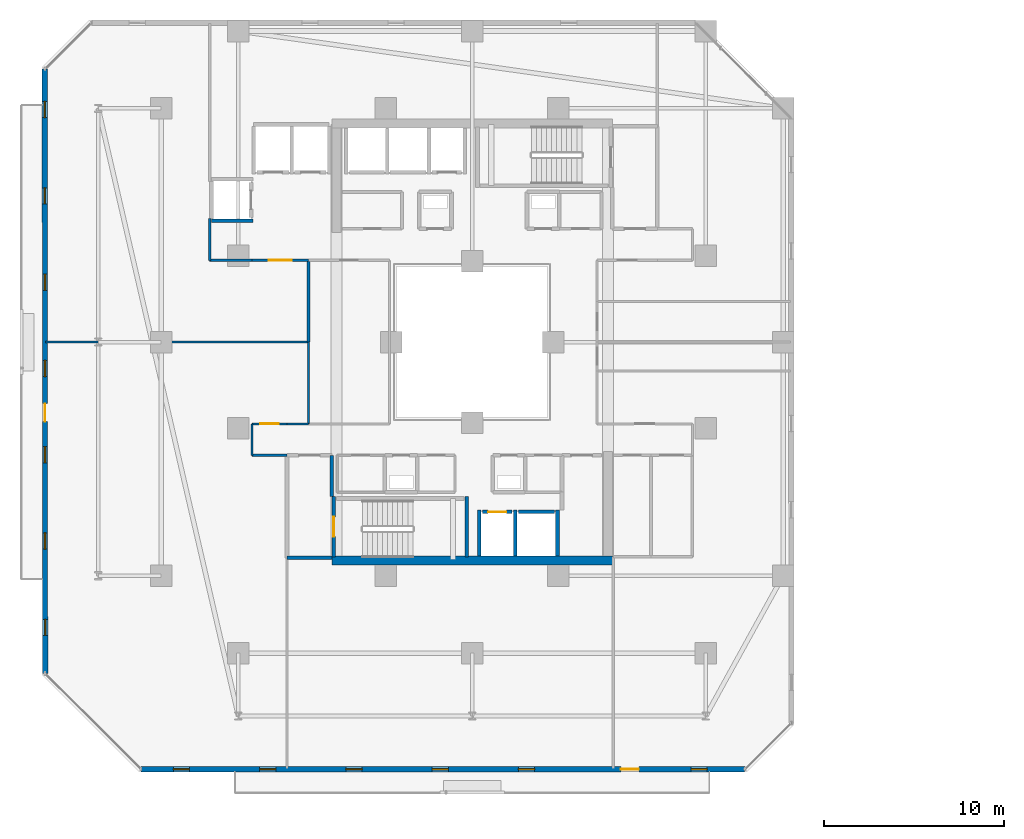
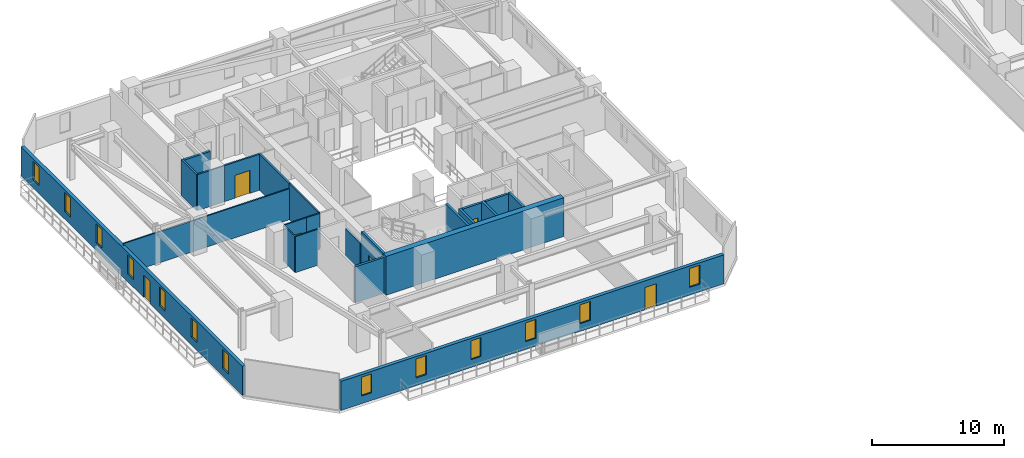
# One storey, part 18 of 33: 23 walls, 13 windows, 6 doors, 19 openings.
"""IFC4 building model written with IfcOpenShell, lengths in metres."""

import ifcopenshell
import ifcopenshell.guid

model = None  # the IFC model being written
_history = None  # IfcOwnerHistory: only IFC2X3 demands one
_inside = {}  # id of a spatial element -> (the spatial element, [elements in it])
_under = {}  # id of a project, library or spatial element -> (it, [spatial elements below it])
_declared = {}  # id of a project -> (the project, [libraries it declares])
_typed = {}  # id of a type object -> (the type object, [elements of that type])
_made_of = {}  # id of a material, layer set ... -> (it, [elements and type objects made of it])


def new_model(schema):
    """Start an empty IFC model of exactly this schema.

    Asked for "IFC4X3", IfcOpenShell would pick the latest addendum, in which some entities
    have other attributes; the version numbers below select the first issue.
    IFC2X3 requires an IfcOwnerHistory on every rooted entity: one is made here for all.
    """
    global model, _history
    if schema == "IFC4X3":
        model = ifcopenshell.file(schema_version=(4, 3, 0, 0))
    else:
        model = ifcopenshell.file(schema=schema)
    _inside.clear()
    _under.clear()
    _declared.clear()
    _typed.clear()
    _made_of.clear()
    _history = None
    if model.schema == "IFC2X3":
        org = make("IfcOrganization", Name="unknown")
        user = make(
            "IfcPersonAndOrganization",
            ThePerson=make("IfcPerson", FamilyName="unknown"),
            TheOrganization=org,
        )
        app = make(
            "IfcApplication",
            ApplicationDeveloper=org,
            Version="unknown",
            ApplicationFullName="unknown",
            ApplicationIdentifier="unknown",
        )
        _history = make(
            "IfcOwnerHistory",
            OwningUser=user,
            OwningApplication=app,
            ChangeAction="ADDED",
            CreationDate=0,
        )
    return model


def make(cls, **values):
    """One entity of the class cls with the attributes given. An attribute that is None is left unset."""
    return model.create_entity(
        cls, **{name: value for name, value in values.items() if value is not None}
    )


def rooted(cls, **values):
    """An entity with a GlobalId (a new one), such as an element, a storey or a relation."""
    return make(cls, GlobalId=ifcopenshell.guid.new(), OwnerHistory=_history, **values)


def si_unit(unit_type, name, prefix=None):
    """IfcSIUnit, for example si_unit("LENGTHUNIT", "METRE", prefix="MILLI")."""
    return make("IfcSIUnit", UnitType=unit_type, Prefix=prefix, Name=name)


def assignment(units):
    """IfcUnitAssignment: the units of a project."""
    return None if units is None else make("IfcUnitAssignment", Units=units)


def point(xyz):
    """IfcCartesianPoint."""
    return None if xyz is None else make("IfcCartesianPoint", Coordinates=xyz)


def direction(xyz):
    """IfcDirection."""
    return None if xyz is None else make("IfcDirection", DirectionRatios=xyz)


def frame(location, z_axis=None, x_axis=None):
    """IfcAxis2Placement3D, a coordinate frame: its origin and axes. An axis left out is left unset."""
    return make(
        "IfcAxis2Placement3D",
        Location=point(location),
        Axis=direction(z_axis),
        RefDirection=direction(x_axis),
    )


def frame_2d(location, x_axis=None):
    """IfcAxis2Placement2D, a coordinate frame in the plane: its origin and x axis."""
    return make(
        "IfcAxis2Placement2D", Location=point(location), RefDirection=direction(x_axis)
    )


def origin():
    """The frame at (0, 0, 0) with its axes left unset."""
    return frame((0.0, 0.0, 0.0))


def place(relative_to, where):
    """IfcLocalPlacement: puts the frame where relative to a parent placement (None: the world)."""
    return make(
        "IfcLocalPlacement", PlacementRelTo=relative_to, RelativePlacement=where
    )


def context(
    kind, dimensions, precision=None, world=None, true_north=None, identifier=None
):
    """IfcGeometricRepresentationContext, for example the 3D "Model" context."""
    return make(
        "IfcGeometricRepresentationContext",
        ContextIdentifier=identifier,
        ContextType=kind,
        CoordinateSpaceDimension=dimensions,
        Precision=precision,
        WorldCoordinateSystem=world,
        TrueNorth=true_north,
    )


def subcontext(parent, identifier, kind, view, scale=None):
    """IfcGeometricRepresentationSubContext, for example "Body" below "Model"."""
    return make(
        "IfcGeometricRepresentationSubContext",
        ContextIdentifier=identifier,
        ContextType=kind,
        ParentContext=parent,
        TargetScale=scale,
        TargetView=view,
    )


def project(units=None, contexts=None):
    """IfcProject with its units and contexts."""
    return rooted(
        "IfcProject",
        Name="project",
        RepresentationContexts=contexts,
        UnitsInContext=assignment(units),
    )


def spatial(cls, under=None, at=None, **own):
    """A site, building, storey or space (cls), placed at a placement, below another one or the project."""
    s = rooted(cls, ObjectPlacement=at, **own)
    if under is not None:
        _under.setdefault(under.id(), (under, []))[1].append(s)
    return s


def profile(cls, at=None, kind="AREA", **sizes):
    """A parametric profile (cls). Its sizes go by their IFC names, for example OverallWidth=200.0."""
    return make(cls, ProfileType=kind, Position=at, **sizes)


def rectangle(**sizes):
    """IfcRectangleProfileDef."""
    return profile("IfcRectangleProfileDef", **sizes)


def extrude(swept, where, along, depth):
    """IfcExtrudedAreaSolid: the profile swept, set in the frame where, extruded along a direction by depth."""
    return make(
        "IfcExtrudedAreaSolid",
        SweptArea=swept,
        Position=where,
        ExtrudedDirection=direction(along),
        Depth=depth,
    )


def shape(context_of_items, identifier, shape_type, items):
    """IfcShapeRepresentation: the items that make up one representation, for example the "Body"."""
    return make(
        "IfcShapeRepresentation",
        ContextOfItems=context_of_items,
        RepresentationIdentifier=identifier,
        RepresentationType=shape_type,
        Items=items,
    )


def material(Name=None, Category=None):
    """IfcMaterial."""
    return make("IfcMaterial", Name=Name, Category=Category)


def layer(
    of_material, thickness, ventilated=None, Name=None, Category=None, Priority=None
):
    """IfcMaterialLayer: one layer of a wall or slab, of a material (None: an air gap)."""
    return make(
        "IfcMaterialLayer",
        Material=of_material,
        LayerThickness=thickness,
        IsVentilated=ventilated,
        Name=Name,
        Category=Category,
        Priority=Priority,
    )


def layer_set(layers, Name=None):
    """IfcMaterialLayerSet."""
    return make("IfcMaterialLayerSet", MaterialLayers=layers, LayerSetName=Name)


def made_of(thing, what):
    """Note that an element or type object is made of a material, layer set ...; save() writes the relation."""
    if what is not None:
        _made_of.setdefault(what.id(), (what, []))[1].append(thing)
    return thing


def type_object(cls, material=None, **own):
    """A type object (cls), such as IfcWallType, which elements share."""
    return made_of(rooted(cls, **own), material)


def element(
    cls,
    number,
    at=None,
    inside=None,
    cuts=None,
    type_object=None,
    material=None,
    context=None,
    identifier="Body",
    shape_type=None,
    held_by="IfcProductDefinitionShape",
    body=None,
    shapes=None,
    **own,
):
    """One element of the class cls, such as IfcWall. Its Tag is "e" and its number.

    at: its placement. inside: the storey or other place that contains it. cuts: it is an
    opening in that element (IfcRelVoidsElement). A single representation is given by context,
    identifier, shape_type and body (its items); several are given by shapes. held_by: the class
    of the entity that holds the representations. save() writes the other relations.
    """
    e = rooted(cls, Tag="e%d" % number, ObjectPlacement=at, **own)
    if body is not None:
        shapes = [shape(context, identifier, shape_type, body)]
    if shapes is not None:
        e.Representation = make(held_by, Representations=shapes)
    if inside is not None:
        _inside.setdefault(inside.id(), (inside, []))[1].append(e)
    if cuts is not None:
        rooted(
            "IfcRelVoidsElement", RelatingBuildingElement=cuts, RelatedOpeningElement=e
        )
    if type_object is not None:
        _typed.setdefault(type_object.id(), (type_object, []))[1].append(e)
    return made_of(e, material)


def fill(opening, filler):
    """IfcRelFillsElement: the door or window that sits in an opening."""
    return rooted(
        "IfcRelFillsElement",
        RelatingOpeningElement=opening,
        RelatedBuildingElement=filler,
    )


def aggregate(whole, parts):
    """IfcRelAggregates: a whole, such as a stair, and the parts it consists of."""
    return rooted("IfcRelAggregates", RelatingObject=whole, RelatedObjects=parts)


def save(model, path):
    """Write the relations noted so far, then the file.

    IfcRelAggregates (storeys below a building ...), IfcRelContainedInSpatialStructure (elements
    in a storey), IfcRelDefinesByType, IfcRelAssociatesMaterial and IfcRelDeclares: one each for
    every whole, place, type object, material and project.
    """
    for whole, parts in _under.values():
        aggregate(whole, parts)
    for where, things in _inside.values():
        rooted(
            "IfcRelContainedInSpatialStructure",
            RelatedElements=things,
            RelatingStructure=where,
        )
    for kind, things in _typed.values():
        rooted("IfcRelDefinesByType", RelatedObjects=things, RelatingType=kind)
    for what, things in _made_of.values():
        rooted("IfcRelAssociatesMaterial", RelatedObjects=things, RelatingMaterial=what)
    for by, libraries in _declared.values():
        rooted("IfcRelDeclares", RelatingContext=by, RelatedDefinitions=libraries)
    model.write(path)


model = new_model("IFC4")

# Units and contexts
model_context = context("Model", 3, precision=1e-05, world=origin(), true_north=direction((0.0, 1.0)))
body_context = subcontext(model_context, "Body", "Model", "MODEL_VIEW")
ifc_project = project(units=[si_unit("LENGTHUNIT", "METRE"), si_unit("AREAUNIT", "SQUARE_METRE"), si_unit("VOLUMEUNIT", "CUBIC_METRE"), si_unit("PLANEANGLEUNIT", "RADIAN"), si_unit("MASSUNIT", "GRAM", prefix="KILO")], contexts=[model_context])

# Site, building, storey
site_placement = place(None, origin())
site = spatial("IfcSite", under=ifc_project, at=site_placement, CompositionType="ELEMENT")
building_placement = place(site_placement, origin())
building = spatial("IfcBuilding", under=site, at=building_placement, Name="Thornwick Lancets Civic Towers", CompositionType="ELEMENT")
storey_placement = place(building_placement, frame((0.0, 0.0, 130.5)))
storey = spatial("IfcBuildingStorey", under=building, at=storey_placement, Name="L34", CompositionType="ELEMENT", Elevation=130.5)

# Wall, opening, door
ifc_material_1 = material(Name="Concrete blockwork C40/50", Category="masonry")
ifc_layer_1 = layer(ifc_material_1, 0.199951171875, Name="Concrete blockwork C40/50")
ifc_layer_set_1 = layer_set([ifc_layer_1], Name="Concrete blockwork C40/50")
wall_type_1 = type_object("IfcWallType", Name="WALL_COMP_200", PredefinedType="STANDARD", material=ifc_layer_set_1)
wall_1_placement = place(storey_placement, frame((26.080078125, 17.550048828125, 0.0), z_axis=(0.0, 0.0, 1.0), x_axis=(1.0, 0.0, 0.0)))
wall_1 = element("IfcWall", 1, at=wall_1_placement, inside=storey, type_object=wall_type_1, Name="L34 Hoistway Front Wall FL-A1", PredefinedType="STANDARD", context=body_context, shape_type="SweptSolid", body=[
    extrude(rectangle(XDim=1.639892578125, YDim=0.199951171875, at=frame_2d((0.81982421875, 0.0))), origin(), (0.0, 0.0, 1.0), 3.340087890625),
])
opening_1_placement = place(wall_1_placement, frame((0.31005859375, 0.0, 0.0)))
opening_1 = element("IfcOpeningElement", 2, at=opening_1_placement, cuts=wall_1, Name="Opening LD-FL-A1", PredefinedType="OPENING", context=body_context, shape_type="SweptSolid", body=[
    extrude(rectangle(XDim=1.02001953125, YDim=2.06005859375, at=frame_2d((0.510009765625, 1.030029296875))), frame((0.0, 0.10986328125, 0.0), z_axis=(0.0, -1.0, 0.0), x_axis=(1.0, 0.0, 0.0)), (0.0, 0.0, 1.0), 0.219970703125),
])
ifc_material_2 = material(Name="Brushed bronze stainless steel", Category="steel")
door_type_1 = type_object("IfcDoorType", Name="DOOR_LIFT_SLIDE", OperationType="SLIDING_TO_LEFT", PredefinedType="DOOR", material=ifc_material_2)
door_1_placement = place(opening_1_placement, origin())
door_1 = element("IfcDoor", 3, at=door_1_placement, inside=storey, type_object=door_type_1, Name="L34 Sliding Lift Landing Door LD-FL-A1", OperationType="SLIDING_TO_LEFT", OverallHeight=2.06005859375, OverallWidth=1.02001953125, PredefinedType="DOOR", context=body_context, shape_type="SweptSolid", body=[
    extrude(rectangle(XDim=1.02001953125, YDim=2.06005859375, at=frame_2d((0.510009765625, 1.030029296875))), frame((0.0, 0.02490234375, 0.0), z_axis=(0.0, -1.0, 0.0), x_axis=(1.0, 0.0, 0.0)), (0.0, 0.0, 1.0), 0.050048828125),
])
fill(opening_1, door_1)

# Walls
wall_2_placement = place(storey_placement, frame((28.080078125, 17.550048828125, 0.0), z_axis=(0.0, 0.0, 1.0), x_axis=(1.0, 0.0, 0.0)))
element("IfcWall", 4, at=wall_2_placement, inside=storey, type_object=wall_type_1, Name="L34 Hoistway Front Wall PL-AH1", PredefinedType="STANDARD", context=body_context, shape_type="SweptSolid", body=[
    extrude(rectangle(XDim=1.989990234375, YDim=0.199951171875, at=frame_2d((0.9951171875, 0.0))), origin(), (0.0, 0.0, 1.0), 3.340087890625),
])
for number, where, z_axis, x_axis, name in (
    (5, (27.89990234375, 15.112060546875, 0.0), (0.0, 0.0, 1.0), (0.0, 1.0, 0.0), "L34 Hoistway Shaft Wall FL-A1 E"),
    (6, (25.89990234375, 15.112060546875, 0.0), (0.0, 0.0, 1.0), (0.0, 1.0, 0.0), "L34 Hoistway Shaft Wall FL-A1 W"),
    (7, (30.25, 15.112060546875, 0.0), (0.0, 0.0, 1.0), (0.0, 1.0, 0.0), "L34 Hoistway Shaft Wall PL-AH1 E"),
):
    element("IfcWall", number, at=place(storey_placement, frame(where, z_axis=z_axis, x_axis=x_axis)), inside=storey, type_object=wall_type_1, Name=name, PredefinedType="STANDARD", context=body_context, shape_type="SweptSolid", body=[
        extrude(rectangle(XDim=2.535888671875, YDim=0.199951171875, at=frame_2d((1.26806640625, 0.0))), origin(), (0.0, 0.0, 1.0), 3.340087890625),
    ])
wall_3_placement = place(storey_placement, frame((11.001953125, 33.75, 0.0), z_axis=(0.0, 0.0, 1.0), x_axis=(1.0, 0.0, 0.0)))
element("IfcWall", 8, at=wall_3_placement, inside=storey, type_object=wall_type_1, Name="L34 Hoistway Shaft Wall PL-AM3 S", PredefinedType="STANDARD", context=body_context, shape_type="SweptSolid", body=[
    extrude(rectangle(XDim=2.296142578125, YDim=0.199951171875, at=frame_2d((1.14794921875, 0.0))), origin(), (0.0, 0.0, 1.0), 3.340087890625),
])
wall_4_placement = place(storey_placement, frame((15.199951171875, 15.0, 0.0), z_axis=(0.0, 0.0, 1.0), x_axis=(1.0, 0.0, 0.0)))
element("IfcWall", 9, at=wall_4_placement, inside=storey, type_object=wall_type_1, Name="L34 Partition L34-A-FFLOB1 E1", PredefinedType="STANDARD", context=body_context, shape_type="SweptSolid", body=[
    extrude(rectangle(XDim=2.5, YDim=0.199951171875, at=frame_2d((1.25, 0.0))), origin(), (0.0, 0.0, 1.0), 3.340087890625),
])
wall_5_placement = place(storey_placement, frame((17.699951171875, 18.39990234375, 0.0), z_axis=(0.0, 0.0, 1.0), x_axis=(0.0, 1.0, 0.0)))
element("IfcWall", 10, at=wall_5_placement, inside=storey, type_object=wall_type_1, Name="L34 Partition L34-A-FFLOB1 E2", PredefinedType="STANDARD", context=body_context, shape_type="SweptSolid", body=[
    extrude(rectangle(XDim=2.300048828125, YDim=0.199951171875, at=frame_2d((1.14990234375, 0.0))), origin(), (0.0, 0.0, 1.0), 2.544921875),
])
ifc_material_3 = material(Name="Concrete C50/60", Category="concrete")
ifc_layer_2 = layer(ifc_material_3, 0.5, Name="Concrete C50/60")
ifc_layer_set_2 = layer_set([ifc_layer_2], Name="Concrete C50/60")
wall_type_2 = type_object("IfcWallType", Name="WALL_CORE_500", PredefinedType="SHEAR", material=ifc_layer_set_2)
wall_6_placement = place(storey_placement, frame((17.699951171875, 14.85009765625, 0.0), z_axis=(0.0, 0.0, 1.0), x_axis=(1.0, 0.0, 0.0)))
element("IfcWall", 11, at=wall_6_placement, inside=storey, type_object=wall_type_2, Name="L34 Split Core A1 Shear Wall S", PredefinedType="SHEAR", context=body_context, shape_type="SweptSolid", body=[
    extrude(rectangle(XDim=15.60009765625, YDim=0.5, at=frame_2d((7.800048828125, 0.0))), origin(), (0.0, 0.0, 1.0), 3.60009765625),
])

# Wall, openings, door, windows
ifc_material_4 = material(Name="Insulated russet terracotta rainscreen on concrete C40/50", Category="masonry")
ifc_layer_3 = layer(ifc_material_4, 0.300048828125, Name="Insulated russet terracotta rainscreen on concrete C40/50")
ifc_layer_set_3 = layer_set([ifc_layer_3], Name="Insulated russet terracotta rainscreen on concrete C40/50")
wall_type_3 = type_object("IfcWallType", Name="WALL_EXT_RUSSET_300", PredefinedType="STANDARD", material=ifc_layer_set_3)
wall_7_placement = place(storey_placement, frame((7.076416015625, 3.244384765625, 0.0), z_axis=(0.0, 0.0, 1.0), x_axis=(0.999999963872, -0.000268805477, 0.0)))
wall_7 = element("IfcWall", 12, at=wall_7_placement, inside=storey, type_object=wall_type_3, Name="L34 Tower A Terracotta Facade Wall E0", PredefinedType="STANDARD", context=body_context, shape_type="SweptSolid", body=[
    extrude(rectangle(XDim=33.60498046875, YDim=0.300048828125, at=frame_2d((16.802490234375, 0.0))), origin(), (0.0, 0.0, 1.0), 2.699951171875),
])
opening_2_placement = place(wall_7_placement, frame((26.702392578125, 0.0, 0.0)))
opening_2 = element("IfcOpeningElement", 13, at=opening_2_placement, cuts=wall_7, Name="Opening D-BL-L34-AS", PredefinedType="OPENING", context=body_context, shape_type="SweptSolid", body=[
    extrude(rectangle(XDim=1.0, YDim=2.080078125, at=frame_2d((0.5, 1.0400390625))), frame((0.0, 0.16015625, 0.0), z_axis=(0.0, -1.0, 0.0), x_axis=(1.0, 0.0, 0.0)), (0.0, 0.0, 1.0), 0.320068359375),
])
opening_3_placement = place(wall_7_placement, frame((1.800048828125, 0.0, 0.719970703125)))
opening_3 = element("IfcOpeningElement", 14, at=opening_3_placement, cuts=wall_7, Name="Opening WL-01", PredefinedType="OPENING", context=body_context, shape_type="SweptSolid", body=[
    extrude(rectangle(XDim=0.89990234375, YDim=1.75, at=frame_2d((0.449951171875, 0.875))), frame((0.0, 0.16015625, 0.0), z_axis=(0.0, -1.0, 0.0), x_axis=(1.0, 0.0, 0.0)), (0.0, 0.0, 1.0), 0.320068359375),
])
opening_4_placement = place(wall_7_placement, frame((6.60009765625, 0.0, 0.719970703125)))
opening_4 = element("IfcOpeningElement", 15, at=opening_4_placement, cuts=wall_7, Name="Opening WL-01", PredefinedType="OPENING", context=body_context, shape_type="SweptSolid", body=[
    extrude(rectangle(XDim=0.89990234375, YDim=1.75, at=frame_2d((0.449951171875, 0.875))), frame((0.0, 0.16015625, 0.0), z_axis=(0.0, -1.0, 0.0), x_axis=(1.0, 0.0, 0.0)), (0.0, 0.0, 1.0), 0.320068359375),
])
opening_5_placement = place(wall_7_placement, frame((11.39990234375, 0.0, 0.719970703125)))
opening_5 = element("IfcOpeningElement", 16, at=opening_5_placement, cuts=wall_7, Name="Opening WL-01", PredefinedType="OPENING", context=body_context, shape_type="SweptSolid", body=[
    extrude(rectangle(XDim=0.89990234375, YDim=1.75, at=frame_2d((0.449951171875, 0.875))), frame((0.0, 0.16015625, 0.0), z_axis=(0.0, -1.0, 0.0), x_axis=(1.0, 0.0, 0.0)), (0.0, 0.0, 1.0), 0.320068359375),
])
opening_6_placement = place(wall_7_placement, frame((16.199951171875, 0.0, 0.719970703125)))
opening_6 = element("IfcOpeningElement", 17, at=opening_6_placement, cuts=wall_7, Name="Opening WL-01", PredefinedType="OPENING", context=body_context, shape_type="SweptSolid", body=[
    extrude(rectangle(XDim=0.89990234375, YDim=1.75, at=frame_2d((0.449951171875, 0.875))), frame((0.0, 0.16015625, 0.0), z_axis=(0.0, -1.0, 0.0), x_axis=(1.0, 0.0, 0.0)), (0.0, 0.0, 1.0), 0.320068359375),
])
opening_7_placement = place(wall_7_placement, frame((21.0, 0.0, 0.719970703125)))
opening_7 = element("IfcOpeningElement", 18, at=opening_7_placement, cuts=wall_7, Name="Opening WL-01", PredefinedType="OPENING", context=body_context, shape_type="SweptSolid", body=[
    extrude(rectangle(XDim=0.89990234375, YDim=1.75, at=frame_2d((0.449951171875, 0.875))), frame((0.0, 0.16015625, 0.0), z_axis=(0.0, -1.0, 0.0), x_axis=(1.0, 0.0, 0.0)), (0.0, 0.0, 1.0), 0.320068359375),
])
opening_8_placement = place(wall_7_placement, frame((30.60009765625, 0.0, 0.719970703125)))
opening_8 = element("IfcOpeningElement", 19, at=opening_8_placement, cuts=wall_7, Name="Opening WL-01", PredefinedType="OPENING", context=body_context, shape_type="SweptSolid", body=[
    extrude(rectangle(XDim=0.89990234375, YDim=1.75, at=frame_2d((0.449951171875, 0.875))), frame((0.0, 0.16015625, 0.0), z_axis=(0.0, -1.0, 0.0), x_axis=(1.0, 0.0, 0.0)), (0.0, 0.0, 1.0), 0.320068359375),
])
ifc_material_5 = material(Name="Thermally broken glazed loggia doorset")
door_type_2 = type_object("IfcDoorType", Name="DOOR_BALC_1000", OperationType="NOTDEFINED", PredefinedType="DOOR", material=ifc_material_5)
door_2_placement = place(opening_2_placement, origin())
door_2 = element("IfcDoor", 20, at=door_2_placement, inside=storey, type_object=door_type_2, Name="L34 Tower A Loggia Balcony Door S", OperationType="SINGLE_SWING_LEFT", OverallHeight=2.080078125, OverallWidth=1.0, PredefinedType="DOOR", context=body_context, shape_type="SweptSolid", body=[
    extrude(rectangle(XDim=1.0, YDim=2.080078125, at=frame_2d((0.5, 1.0400390625))), frame((0.0, 0.02490234375, 0.0), z_axis=(0.0, -1.0, 0.0), x_axis=(1.0, 0.0, 0.0)), (0.0, 0.0, 1.0), 0.050048828125),
])
fill(opening_2, door_2)
ifc_material_6 = material(Name="Clear low-e double glazing in bronze frame", Category="glass")
window_type = type_object("IfcWindowType", Name="WIN_LANCET_900", PartitioningType="SINGLE_PANEL", PredefinedType="WINDOW", material=ifc_material_6)
window_1_placement = place(opening_3_placement, origin())
window_1 = element("IfcWindow", 21, at=window_1_placement, inside=storey, type_object=window_type, Name="L34 Tower A Staggered Lancet Window E0-1", OverallHeight=1.75, OverallWidth=0.89990234375, PartitioningType="SINGLE_PANEL", PredefinedType="WINDOW", context=body_context, shape_type="SweptSolid", body=[
    extrude(rectangle(XDim=0.89990234375, YDim=1.75, at=frame_2d((0.449951171875, 0.875))), frame((0.0, 0.030029296875, 0.0), z_axis=(0.0, -1.0, 0.0), x_axis=(1.0, 0.0, 0.0)), (0.0, 0.0, 1.0), 0.06005859375),
])
fill(opening_3, window_1)
window_2_placement = place(opening_4_placement, origin())
window_2 = element("IfcWindow", 22, at=window_2_placement, inside=storey, type_object=window_type, Name="L34 Tower A Staggered Lancet Window E0-2", OverallHeight=1.75, OverallWidth=0.89990234375, PartitioningType="SINGLE_PANEL", PredefinedType="WINDOW", context=body_context, shape_type="SweptSolid", body=[
    extrude(rectangle(XDim=0.89990234375, YDim=1.75, at=frame_2d((0.449951171875, 0.875))), frame((0.0, 0.030029296875, 0.0), z_axis=(0.0, -1.0, 0.0), x_axis=(1.0, 0.0, 0.0)), (0.0, 0.0, 1.0), 0.06005859375),
])
fill(opening_4, window_2)
window_3_placement = place(opening_5_placement, origin())
window_3 = element("IfcWindow", 23, at=window_3_placement, inside=storey, type_object=window_type, Name="L34 Tower A Staggered Lancet Window E0-3", OverallHeight=1.75, OverallWidth=0.89990234375, PartitioningType="SINGLE_PANEL", PredefinedType="WINDOW", context=body_context, shape_type="SweptSolid", body=[
    extrude(rectangle(XDim=0.89990234375, YDim=1.75, at=frame_2d((0.449951171875, 0.875))), frame((0.0, 0.030029296875, 0.0), z_axis=(0.0, -1.0, 0.0), x_axis=(1.0, 0.0, 0.0)), (0.0, 0.0, 1.0), 0.06005859375),
])
fill(opening_5, window_3)
window_4_placement = place(opening_6_placement, origin())
window_4 = element("IfcWindow", 24, at=window_4_placement, inside=storey, type_object=window_type, Name="L34 Tower A Staggered Lancet Window E0-4", OverallHeight=1.75, OverallWidth=0.89990234375, PartitioningType="SINGLE_PANEL", PredefinedType="WINDOW", context=body_context, shape_type="SweptSolid", body=[
    extrude(rectangle(XDim=0.89990234375, YDim=1.75, at=frame_2d((0.449951171875, 0.875))), frame((0.0, 0.030029296875, 0.0), z_axis=(0.0, -1.0, 0.0), x_axis=(1.0, 0.0, 0.0)), (0.0, 0.0, 1.0), 0.06005859375),
])
fill(opening_6, window_4)
window_5_placement = place(opening_7_placement, origin())
window_5 = element("IfcWindow", 25, at=window_5_placement, inside=storey, type_object=window_type, Name="L34 Tower A Staggered Lancet Window E0-5", OverallHeight=1.75, OverallWidth=0.89990234375, PartitioningType="SINGLE_PANEL", PredefinedType="WINDOW", context=body_context, shape_type="SweptSolid", body=[
    extrude(rectangle(XDim=0.89990234375, YDim=1.75, at=frame_2d((0.449951171875, 0.875))), frame((0.0, 0.030029296875, 0.0), z_axis=(0.0, -1.0, 0.0), x_axis=(1.0, 0.0, 0.0)), (0.0, 0.0, 1.0), 0.06005859375),
])
fill(opening_7, window_5)
window_6_placement = place(opening_8_placement, origin())
window_6 = element("IfcWindow", 26, at=window_6_placement, inside=storey, type_object=window_type, Name="L34 Tower A Staggered Lancet Window E0-6", OverallHeight=1.75, OverallWidth=0.89990234375, PartitioningType="SINGLE_PANEL", PredefinedType="WINDOW", context=body_context, shape_type="SweptSolid", body=[
    extrude(rectangle(XDim=0.89990234375, YDim=1.75, at=frame_2d((0.449951171875, 0.875))), frame((0.0, 0.030029296875, 0.0), z_axis=(0.0, -1.0, 0.0), x_axis=(1.0, 0.0, 0.0)), (0.0, 0.0, 1.0), 0.06005859375),
])
fill(opening_8, window_6)

wall_8_placement = place(storey_placement, frame((1.7353515625, 42.181396484375, 0.0), z_axis=(0.0, 0.0, 1.0), x_axis=(0.000268805477, -0.999999963872, 0.0)))
wall_8 = element("IfcWall", 27, at=wall_8_placement, inside=storey, type_object=wall_type_3, Name="L34 Tower A Terracotta Facade Wall E6", PredefinedType="STANDARD", context=body_context, shape_type="SweptSolid", body=[
    extrude(rectangle(XDim=33.60498046875, YDim=0.300048828125, at=frame_2d((16.802490234375, 0.0))), origin(), (0.0, 0.0, 1.0), 2.699951171875),
])
opening_9_placement = place(wall_8_placement, frame((18.6025390625, 0.0, 0.0)))
opening_9 = element("IfcOpeningElement", 28, at=opening_9_placement, cuts=wall_8, Name="Opening D-BL-L34-AW", PredefinedType="OPENING", context=body_context, shape_type="SweptSolid", body=[
    extrude(rectangle(XDim=1.0, YDim=2.080078125, at=frame_2d((0.5, 1.0400390625))), frame((0.0, 0.16015625, 0.0), z_axis=(0.0, -1.0, 0.0), x_axis=(1.0, 0.0, 0.0)), (0.0, 0.0, 1.0), 0.320068359375),
])
opening_10_placement = place(wall_8_placement, frame((1.800048828125, 0.0, 0.719970703125)))
opening_10 = element("IfcOpeningElement", 29, at=opening_10_placement, cuts=wall_8, Name="Opening WL-01", PredefinedType="OPENING", context=body_context, shape_type="SweptSolid", body=[
    extrude(rectangle(XDim=0.89990234375, YDim=1.75, at=frame_2d((0.449951171875, 0.875))), frame((0.0, 0.16015625, 0.0), z_axis=(0.0, -1.0, 0.0), x_axis=(1.0, 0.0, 0.0)), (0.0, 0.0, 1.0), 0.320068359375),
])
opening_11_placement = place(wall_8_placement, frame((6.60009765625, 0.0, 0.719970703125)))
opening_11 = element("IfcOpeningElement", 30, at=opening_11_placement, cuts=wall_8, Name="Opening WL-01", PredefinedType="OPENING", context=body_context, shape_type="SweptSolid", body=[
    extrude(rectangle(XDim=0.89990234375, YDim=1.75, at=frame_2d((0.449951171875, 0.875))), frame((0.0, 0.16015625, 0.0), z_axis=(0.0, -1.0, 0.0), x_axis=(1.0, 0.0, 0.0)), (0.0, 0.0, 1.0), 0.320068359375),
])
opening_12_placement = place(wall_8_placement, frame((11.39990234375, 0.0, 0.719970703125)))
opening_12 = element("IfcOpeningElement", 31, at=opening_12_placement, cuts=wall_8, Name="Opening WL-01", PredefinedType="OPENING", context=body_context, shape_type="SweptSolid", body=[
    extrude(rectangle(XDim=0.89990234375, YDim=1.75, at=frame_2d((0.449951171875, 0.875))), frame((0.0, 0.16015625, 0.0), z_axis=(0.0, -1.0, 0.0), x_axis=(1.0, 0.0, 0.0)), (0.0, 0.0, 1.0), 0.320068359375),
])
opening_13_placement = place(wall_8_placement, frame((16.199951171875, 0.0, 0.719970703125)))
opening_13 = element("IfcOpeningElement", 32, at=opening_13_placement, cuts=wall_8, Name="Opening WL-01", PredefinedType="OPENING", context=body_context, shape_type="SweptSolid", body=[
    extrude(rectangle(XDim=0.89990234375, YDim=1.75, at=frame_2d((0.449951171875, 0.875))), frame((0.0, 0.16015625, 0.0), z_axis=(0.0, -1.0, 0.0), x_axis=(1.0, 0.0, 0.0)), (0.0, 0.0, 1.0), 0.320068359375),
])
opening_14_placement = place(wall_8_placement, frame((21.0, 0.0, 0.719970703125)))
opening_14 = element("IfcOpeningElement", 33, at=opening_14_placement, cuts=wall_8, Name="Opening WL-01", PredefinedType="OPENING", context=body_context, shape_type="SweptSolid", body=[
    extrude(rectangle(XDim=0.89990234375, YDim=1.75, at=frame_2d((0.449951171875, 0.875))), frame((0.0, 0.16015625, 0.0), z_axis=(0.0, -1.0, 0.0), x_axis=(1.0, 0.0, 0.0)), (0.0, 0.0, 1.0), 0.320068359375),
])
opening_15_placement = place(wall_8_placement, frame((25.800048828125, 0.0, 0.719970703125)))
opening_15 = element("IfcOpeningElement", 34, at=opening_15_placement, cuts=wall_8, Name="Opening WL-01", PredefinedType="OPENING", context=body_context, shape_type="SweptSolid", body=[
    extrude(rectangle(XDim=0.89990234375, YDim=1.75, at=frame_2d((0.449951171875, 0.875))), frame((0.0, 0.16015625, 0.0), z_axis=(0.0, -1.0, 0.0), x_axis=(1.0, 0.0, 0.0)), (0.0, 0.0, 1.0), 0.320068359375),
])
opening_16_placement = place(wall_8_placement, frame((30.60009765625, 0.0, 0.719970703125)))
opening_16 = element("IfcOpeningElement", 35, at=opening_16_placement, cuts=wall_8, Name="Opening WL-01", PredefinedType="OPENING", context=body_context, shape_type="SweptSolid", body=[
    extrude(rectangle(XDim=0.89990234375, YDim=1.75, at=frame_2d((0.449951171875, 0.875))), frame((0.0, 0.16015625, 0.0), z_axis=(0.0, -1.0, 0.0), x_axis=(1.0, 0.0, 0.0)), (0.0, 0.0, 1.0), 0.320068359375),
])
door_3_placement = place(opening_9_placement, origin())
door_3 = element("IfcDoor", 36, at=door_3_placement, inside=storey, type_object=door_type_2, Name="L34 Tower A Loggia Balcony Door W", OperationType="SINGLE_SWING_LEFT", OverallHeight=2.080078125, OverallWidth=1.0, PredefinedType="DOOR", context=body_context, shape_type="SweptSolid", body=[
    extrude(rectangle(XDim=1.0, YDim=2.080078125, at=frame_2d((0.5, 1.0400390625))), frame((0.0, 0.02490234375, 0.0), z_axis=(0.0, -1.0, 0.0), x_axis=(1.0, 0.0, 0.0)), (0.0, 0.0, 1.0), 0.050048828125),
])
fill(opening_9, door_3)
window_7_placement = place(opening_10_placement, origin())
window_7 = element("IfcWindow", 37, at=window_7_placement, inside=storey, type_object=window_type, Name="L34 Tower A Staggered Lancet Window E6-1", OverallHeight=1.75, OverallWidth=0.89990234375, PartitioningType="SINGLE_PANEL", PredefinedType="WINDOW", context=body_context, shape_type="SweptSolid", body=[
    extrude(rectangle(XDim=0.89990234375, YDim=1.75, at=frame_2d((0.449951171875, 0.875))), frame((0.0, 0.030029296875, 0.0), z_axis=(0.0, -1.0, 0.0), x_axis=(1.0, 0.0, 0.0)), (0.0, 0.0, 1.0), 0.06005859375),
])
fill(opening_10, window_7)
window_8_placement = place(opening_11_placement, origin())
window_8 = element("IfcWindow", 38, at=window_8_placement, inside=storey, type_object=window_type, Name="L34 Tower A Staggered Lancet Window E6-2", OverallHeight=1.75, OverallWidth=0.89990234375, PartitioningType="SINGLE_PANEL", PredefinedType="WINDOW", context=body_context, shape_type="SweptSolid", body=[
    extrude(rectangle(XDim=0.89990234375, YDim=1.75, at=frame_2d((0.449951171875, 0.875))), frame((0.0, 0.030029296875, 0.0), z_axis=(0.0, -1.0, 0.0), x_axis=(1.0, 0.0, 0.0)), (0.0, 0.0, 1.0), 0.06005859375),
])
fill(opening_11, window_8)
window_9_placement = place(opening_12_placement, origin())
window_9 = element("IfcWindow", 39, at=window_9_placement, inside=storey, type_object=window_type, Name="L34 Tower A Staggered Lancet Window E6-3", OverallHeight=1.75, OverallWidth=0.89990234375, PartitioningType="SINGLE_PANEL", PredefinedType="WINDOW", context=body_context, shape_type="SweptSolid", body=[
    extrude(rectangle(XDim=0.89990234375, YDim=1.75, at=frame_2d((0.449951171875, 0.875))), frame((0.0, 0.030029296875, 0.0), z_axis=(0.0, -1.0, 0.0), x_axis=(1.0, 0.0, 0.0)), (0.0, 0.0, 1.0), 0.06005859375),
])
fill(opening_12, window_9)
window_10_placement = place(opening_13_placement, origin())
window_10 = element("IfcWindow", 40, at=window_10_placement, inside=storey, type_object=window_type, Name="L34 Tower A Staggered Lancet Window E6-4", OverallHeight=1.75, OverallWidth=0.89990234375, PartitioningType="SINGLE_PANEL", PredefinedType="WINDOW", context=body_context, shape_type="SweptSolid", body=[
    extrude(rectangle(XDim=0.89990234375, YDim=1.75, at=frame_2d((0.449951171875, 0.875))), frame((0.0, 0.030029296875, 0.0), z_axis=(0.0, -1.0, 0.0), x_axis=(1.0, 0.0, 0.0)), (0.0, 0.0, 1.0), 0.06005859375),
])
fill(opening_13, window_10)
window_11_placement = place(opening_14_placement, origin())
window_11 = element("IfcWindow", 41, at=window_11_placement, inside=storey, type_object=window_type, Name="L34 Tower A Staggered Lancet Window E6-5", OverallHeight=1.75, OverallWidth=0.89990234375, PartitioningType="SINGLE_PANEL", PredefinedType="WINDOW", context=body_context, shape_type="SweptSolid", body=[
    extrude(rectangle(XDim=0.89990234375, YDim=1.75, at=frame_2d((0.449951171875, 0.875))), frame((0.0, 0.030029296875, 0.0), z_axis=(0.0, -1.0, 0.0), x_axis=(1.0, 0.0, 0.0)), (0.0, 0.0, 1.0), 0.06005859375),
])
fill(opening_14, window_11)
window_12_placement = place(opening_15_placement, origin())
window_12 = element("IfcWindow", 42, at=window_12_placement, inside=storey, type_object=window_type, Name="L34 Tower A Staggered Lancet Window E6-6", OverallHeight=1.75, OverallWidth=0.89990234375, PartitioningType="SINGLE_PANEL", PredefinedType="WINDOW", context=body_context, shape_type="SweptSolid", body=[
    extrude(rectangle(XDim=0.89990234375, YDim=1.75, at=frame_2d((0.449951171875, 0.875))), frame((0.0, 0.030029296875, 0.0), z_axis=(0.0, -1.0, 0.0), x_axis=(1.0, 0.0, 0.0)), (0.0, 0.0, 1.0), 0.06005859375),
])
fill(opening_15, window_12)
window_13_placement = place(opening_16_placement, origin())
window_13 = element("IfcWindow", 43, at=window_13_placement, inside=storey, type_object=window_type, Name="L34 Tower A Staggered Lancet Window E6-7", OverallHeight=1.75, OverallWidth=0.89990234375, PartitioningType="SINGLE_PANEL", PredefinedType="WINDOW", context=body_context, shape_type="SweptSolid", body=[
    extrude(rectangle(XDim=0.89990234375, YDim=1.75, at=frame_2d((0.449951171875, 0.875))), frame((0.0, 0.030029296875, 0.0), z_axis=(0.0, -1.0, 0.0), x_axis=(1.0, 0.0, 0.0)), (0.0, 0.0, 1.0), 0.06005859375),
])
fill(opening_16, window_13)

# Wall
ifc_material_7 = material(Name="Acoustic gypsum board partition")
ifc_layer_4 = layer(ifc_material_7, 0.1201171875, Name="Acoustic gypsum board partition")
ifc_layer_set_4 = layer_set([ifc_layer_4], Name="Acoustic gypsum board partition")
wall_type_4 = type_object("IfcWallType", Name="WALL_PART_120", PredefinedType="PARTITIONING", material=ifc_layer_set_4)
wall_9_placement = place(storey_placement, frame((16.39990234375, 22.449951171875, 0.0), z_axis=(0.0, 0.0, 1.0), x_axis=(-1.0, 0.0, 0.0)))
element("IfcWall", 44, at=wall_9_placement, inside=storey, type_object=wall_type_4, Name="L34 Partition L34-A-W1 E1", PredefinedType="PARTITIONING", context=body_context, shape_type="SweptSolid", body=[
    extrude(rectangle(XDim=1.199951171875, YDim=0.1201171875, at=frame_2d((0.60009765625, 0.0))), origin(), (0.0, 0.0, 1.0), 3.340087890625),
])

# Wall, opening, door
wall_10_placement = place(storey_placement, frame((15.199951171875, 22.449951171875, 0.0), z_axis=(0.0, 0.0, 1.0), x_axis=(-1.0, 0.0, 0.0)))
wall_10 = element("IfcWall", 45, at=wall_10_placement, inside=storey, type_object=wall_type_4, Name="L34 Partition L34-A-W1 E2", PredefinedType="PARTITIONING", context=body_context, shape_type="SweptSolid", body=[
    extrude(rectangle(XDim=1.949951171875, YDim=0.1201171875, at=frame_2d((0.97509765625, 0.0))), origin(), (0.0, 0.0, 1.0), 3.340087890625),
])
opening_17_placement = place(wall_10_placement, frame((0.449951171875, 0.0, 0.0)))
opening_17 = element("IfcOpeningElement", 46, at=opening_17_placement, cuts=wall_10, Name="Opening D-L34-1555", PredefinedType="OPENING", context=body_context, shape_type="SweptSolid", body=[
    extrude(rectangle(XDim=1.050048828125, YDim=2.10009765625, at=frame_2d((0.52490234375, 1.050048828125))), frame((0.0, 0.070068359375, 0.0), z_axis=(0.0, -1.0, 0.0), x_axis=(1.0, 0.0, 0.0)), (0.0, 0.0, 1.0), 0.14013671875),
])
ifc_material_8 = material(Name="Glazed European oak executive doorset")
door_type_3 = type_object("IfcDoorType", Name="DOOR_OFFICE_1050", OperationType="NOTDEFINED", PredefinedType="DOOR", material=ifc_material_8)
door_4_placement = place(opening_17_placement, origin())
door_4 = element("IfcDoor", 47, at=door_4_placement, inside=storey, type_object=door_type_3, Name="L34 Tower A Ministry Directorate Office W1 Door", OperationType="SINGLE_SWING_RIGHT", OverallHeight=2.10009765625, OverallWidth=1.050048828125, PredefinedType="DOOR", context=body_context, shape_type="SweptSolid", body=[
    extrude(rectangle(XDim=1.050048828125, YDim=2.10009765625, at=frame_2d((0.52490234375, 1.050048828125))), frame((0.0, 0.02490234375, 0.0), z_axis=(0.0, -1.0, 0.0), x_axis=(1.0, 0.0, 0.0)), (0.0, 0.0, 1.0), 0.050048828125),
])
fill(opening_17, door_4)

# Walls
wall_11_placement = place(storey_placement, frame((13.25, 22.449951171875, 0.0), z_axis=(0.0, 0.0, 1.0), x_axis=(0.0, -1.0, 0.0)))
element("IfcWall", 48, at=wall_11_placement, inside=storey, type_object=wall_type_4, Name="L34 Partition L34-A-W1 E3", PredefinedType="PARTITIONING", context=body_context, shape_type="SweptSolid", body=[
    extrude(rectangle(XDim=1.75, YDim=0.1201171875, at=frame_2d((0.875, 0.0))), origin(), (0.0, 0.0, 1.0), 3.340087890625),
])
wall_12_placement = place(storey_placement, frame((13.25, 20.699951171875, 0.0), z_axis=(0.0, 0.0, 1.0), x_axis=(1.0, 0.0, 0.0)))
element("IfcWall", 49, at=wall_12_placement, inside=storey, type_object=wall_type_4, Name="L34 Partition L34-A-W1 E4", PredefinedType="PARTITIONING", context=body_context, shape_type="SweptSolid", body=[
    extrude(rectangle(XDim=1.949951171875, YDim=0.1201171875, at=frame_2d((0.97509765625, 0.0))), origin(), (0.0, 0.0, 1.0), 3.340087890625),
])
wall_13_placement = place(storey_placement, frame((1.780029296875, 27.0, 0.0), z_axis=(0.0, 0.0, 1.0), x_axis=(1.0, 0.0, 0.0)))
element("IfcWall", 50, at=wall_13_placement, inside=storey, type_object=wall_type_4, Name="L34 Partition L34-A-W1 E10", PredefinedType="PARTITIONING", context=body_context, shape_type="SweptSolid", body=[
    extrude(rectangle(XDim=14.619873046875, YDim=0.1201171875, at=frame_2d((7.31005859375, 0.0))), origin(), (0.0, 0.0, 1.0), 2.877685546875),
])
wall_14_placement = place(storey_placement, frame((16.39990234375, 27.0, 0.0), z_axis=(0.0, 0.0, 1.0), x_axis=(0.0, -1.0, 0.0)))
element("IfcWall", 51, at=wall_14_placement, inside=storey, type_object=wall_type_4, Name="L34 Partition L34-A-W1 E11", PredefinedType="PARTITIONING", context=body_context, shape_type="SweptSolid", body=[
    extrude(rectangle(XDim=4.550048828125, YDim=0.1201171875, at=frame_2d((2.27490234375, 0.0))), origin(), (0.0, 0.0, 1.0), 3.340087890625),
])

# Wall, opening, door
ifc_material_9 = material(Name="Twin-stud acoustic gypsum board")
ifc_layer_5 = layer(ifc_material_9, 0.14990234375, Name="Twin-stud acoustic gypsum board")
ifc_layer_set_5 = layer_set([ifc_layer_5], Name="Twin-stud acoustic gypsum board")
wall_type_5 = type_object("IfcWallType", Name="WALL_PART_150", PredefinedType="PARTITIONING", material=ifc_layer_set_5)
wall_15_placement = place(storey_placement, frame((13.25, 31.550048828125, 0.0), z_axis=(0.0, 0.0, 1.0), x_axis=(1.0, 0.0, 0.0)))
wall_15 = element("IfcWall", 52, at=wall_15_placement, inside=storey, type_object=wall_type_5, Name="L34 Partition L34-A-W2 E1", PredefinedType="PARTITIONING", context=body_context, shape_type="SweptSolid", body=[
    extrude(rectangle(XDim=3.14990234375, YDim=0.14990234375, at=frame_2d((1.574951171875, 0.0))), origin(), (0.0, 0.0, 1.0), 3.340087890625),
])
opening_18_placement = place(wall_15_placement, frame((0.925048828125, 0.0, 0.0)))
opening_18 = element("IfcOpeningElement", 53, at=opening_18_placement, cuts=wall_15, Name="Opening D-L34-1556", PredefinedType="OPENING", context=body_context, shape_type="SweptSolid", body=[
    extrude(rectangle(XDim=1.300048828125, YDim=2.1201171875, at=frame_2d((0.64990234375, 1.06005859375))), frame((0.0, 0.0849609375, 0.0), z_axis=(0.0, -1.0, 0.0), x_axis=(1.0, 0.0, 0.0)), (0.0, 0.0, 1.0), 0.169921875),
])
ifc_material_10 = material(Name="Acoustic oak leaf-and-a-half doorset")
door_type_4 = type_object("IfcDoorType", Name="DOOR_MEET_1300", OperationType="DOUBLE_DOOR_SINGLE_SWING", PredefinedType="DOOR", material=ifc_material_10)
door_5_placement = place(opening_18_placement, origin())
door_5 = element("IfcDoor", 54, at=door_5_placement, inside=storey, type_object=door_type_4, Name="L34 Tower A Policy Briefing Room W2 Door", OperationType="DOUBLE_DOOR_SINGLE_SWING", OverallHeight=2.1201171875, OverallWidth=1.300048828125, PredefinedType="DOOR", context=body_context, shape_type="SweptSolid", body=[
    extrude(rectangle(XDim=1.300048828125, YDim=2.1201171875, at=frame_2d((0.64990234375, 1.06005859375))), frame((0.0, 0.02490234375, 0.0), z_axis=(0.0, -1.0, 0.0), x_axis=(1.0, 0.0, 0.0)), (0.0, 0.0, 1.0), 0.050048828125),
])
fill(opening_18, door_5)

# Walls
wall_16_placement = place(storey_placement, frame((16.39990234375, 31.550048828125, 0.0), z_axis=(0.0, 0.0, 1.0), x_axis=(0.0, -1.0, 0.0)))
element("IfcWall", 55, at=wall_16_placement, inside=storey, type_object=wall_type_5, Name="L34 Partition L34-A-W2 E2", PredefinedType="PARTITIONING", context=body_context, shape_type="SweptSolid", body=[
    extrude(rectangle(XDim=4.550048828125, YDim=0.14990234375, at=frame_2d((2.27490234375, 0.0))), origin(), (0.0, 0.0, 1.0), 3.340087890625),
])
wall_17_placement = place(storey_placement, frame((10.89990234375, 33.862060546875, 0.0), z_axis=(0.0, 0.0, 1.0), x_axis=(0.0, -1.0, 0.0)))
element("IfcWall", 56, at=wall_17_placement, inside=storey, type_object=wall_type_5, Name="L34 Partition L34-A-W2 E7", PredefinedType="PARTITIONING", context=body_context, shape_type="SweptSolid", body=[
    extrude(rectangle(XDim=2.31201171875, YDim=0.14990234375, at=frame_2d((1.156005859375, 0.0))), origin(), (0.0, 0.0, 1.0), 3.340087890625),
])
wall_18_placement = place(storey_placement, frame((10.89990234375, 31.550048828125, 0.0), z_axis=(0.0, 0.0, 1.0), x_axis=(1.0, 0.0, 0.0)))
element("IfcWall", 57, at=wall_18_placement, inside=storey, type_object=wall_type_5, Name="L34 Partition L34-A-W2 E8", PredefinedType="PARTITIONING", context=body_context, shape_type="SweptSolid", body=[
    extrude(rectangle(XDim=2.35009765625, YDim=0.14990234375, at=frame_2d((1.175048828125, 0.0))), origin(), (0.0, 0.0, 1.0), 3.340087890625),
])

# Wall, opening, door
ifc_material_11 = material(Name="Concrete C40/50", Category="concrete")
ifc_layer_6 = layer(ifc_material_11, 0.199951171875, Name="Concrete C40/50")
ifc_layer_set_6 = layer_set([ifc_layer_6], Name="Concrete C40/50")
wall_type_6 = type_object("IfcWallType", Name="WALL_SHAFT_200", PredefinedType="SHEAR", material=ifc_layer_set_6)
wall_19_placement = place(storey_placement, frame((17.800048828125, 15.050048828125, 0.0), z_axis=(0.0, 0.0, 1.0), x_axis=(0.0, 1.0, 0.0)))
wall_19 = element("IfcWall", 58, at=wall_19_placement, inside=storey, type_object=wall_type_6, Name="L34 ST-A1 Fire Stair Core Wall NEAR", PredefinedType="SHEAR", context=body_context, shape_type="SweptSolid", body=[
    extrude(rectangle(XDim=3.349853515625, YDim=0.199951171875, at=frame_2d((1.6748046875, 0.0))), origin(), (0.0, 0.0, 1.0), 3.60009765625),
])
opening_19_placement = place(wall_19_placement, frame((1.125, 0.0, 0.0)))
opening_19 = element("IfcOpeningElement", 59, at=opening_19_placement, cuts=wall_19, Name="Opening D-ST-A1-L34", PredefinedType="OPENING", context=body_context, shape_type="SweptSolid", body=[
    extrude(rectangle(XDim=1.10009765625, YDim=2.10009765625, at=frame_2d((0.550048828125, 1.050048828125))), frame((0.0, 0.10986328125, 0.0), z_axis=(0.0, -1.0, 0.0), x_axis=(1.0, 0.0, 0.0)), (0.0, 0.0, 1.0), 0.219970703125),
])
ifc_material_12 = material(Name="Fire-resisting steel and hardwood", Category="steel")
door_type_5 = type_object("IfcDoorType", Name="DOOR_STAIR_FD60", OperationType="NOTDEFINED", PredefinedType="DOOR", material=ifc_material_12)
door_6_placement = place(opening_19_placement, origin())
door_6 = element("IfcDoor", 60, at=door_6_placement, inside=storey, type_object=door_type_5, Name="L34 ST-A1 Exit Stair Door", OperationType="SINGLE_SWING_RIGHT", OverallHeight=2.10009765625, OverallWidth=1.10009765625, PredefinedType="DOOR", context=body_context, shape_type="SweptSolid", body=[
    extrude(rectangle(XDim=1.10009765625, YDim=2.10009765625, at=frame_2d((0.550048828125, 1.050048828125))), frame((0.0, 0.02490234375, 0.0), z_axis=(0.0, -1.0, 0.0), x_axis=(1.0, 0.0, 0.0)), (0.0, 0.0, 1.0), 0.050048828125),
])
fill(opening_19, door_6)

# Wall
wall_20_placement = place(storey_placement, frame((25.199951171875, 18.39990234375, 0.0), z_axis=(0.0, 0.0, 1.0), x_axis=(0.0, -1.0, 0.0)))
element("IfcWall", 61, at=wall_20_placement, inside=storey, type_object=wall_type_6, Name="L34 ST-A1 Fire Stair Core Wall FAR", PredefinedType="SHEAR", context=body_context, shape_type="SweptSolid", body=[
    extrude(rectangle(XDim=3.349853515625, YDim=0.199951171875, at=frame_2d((1.6748046875, 0.0))), origin(), (0.0, 0.0, 1.0), 3.60009765625),
])

save(model, "model.ifc")
